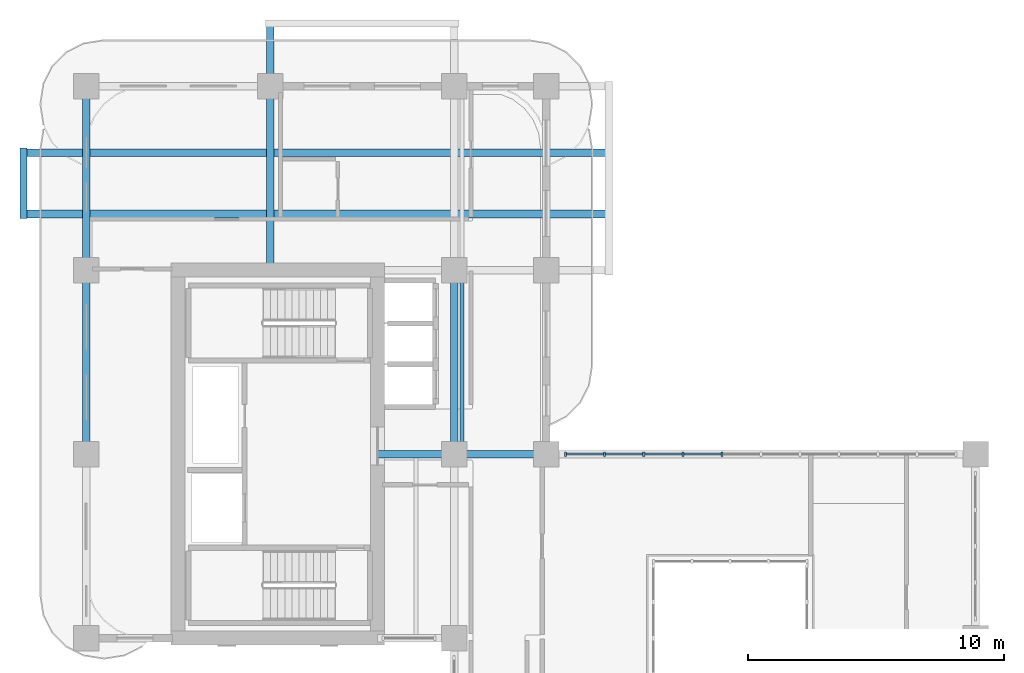
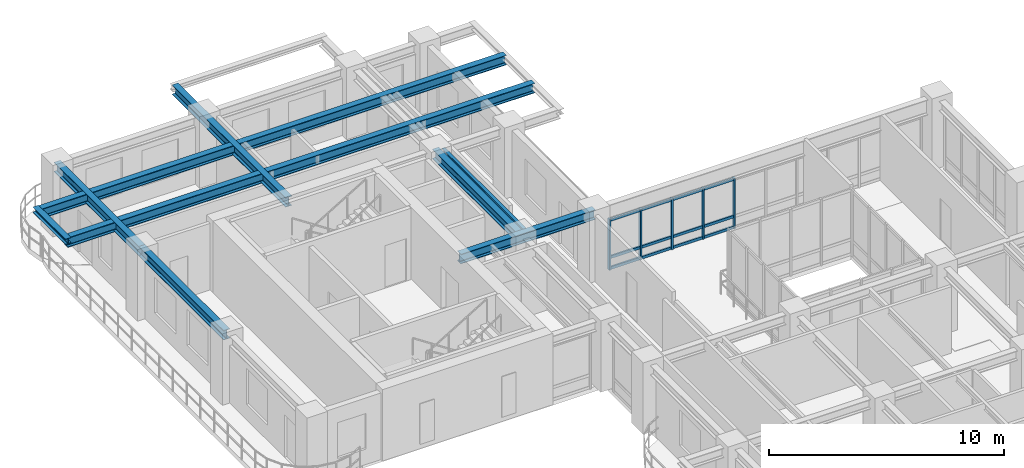
# One storey, part 5 of 20: 17 members, 9 beams, 1 element without a shape of its own.
"""IFC4 building model written with IfcOpenShell, lengths in metres."""

from ifc_helpers import new_model, si_unit, derived_unit, direction, frame, origin, origin_2d, place, context, subcontext, project, spatial, rectangle, i_section, extrude, source, transform, mapped, material, layer, layer_set, material_profile, profile_set, type_object, type_shapes, element, aggregate, save


model = new_model("IFC4")

# Units and contexts
model_context = context("Model", 3, precision=1e-05, world=origin(), true_north=direction((0.0, 1.0)))
body_context = subcontext(model_context, "Body", "Model", "MODEL_VIEW")
ifc_project = project(units=[si_unit("LENGTHUNIT", "METRE"), si_unit("AREAUNIT", "SQUARE_METRE"), si_unit("VOLUMEUNIT", "CUBIC_METRE"), si_unit("PLANEANGLEUNIT", "RADIAN"), si_unit("MASSUNIT", "GRAM", prefix="KILO"), si_unit("THERMODYNAMICTEMPERATUREUNIT", "KELVIN"), si_unit("POWERUNIT", "WATT"), derived_unit("THERMALTRANSMITTANCEUNIT", [(si_unit("POWERUNIT", "WATT"), 1), (si_unit("AREAUNIT", "SQUARE_METRE"), -1), (si_unit("THERMODYNAMICTEMPERATUREUNIT", "KELVIN"), -1)])], contexts=[model_context])

# Site, building, storey
site_placement = place(None, origin())
site = spatial("IfcSite", under=ifc_project, at=site_placement, CompositionType="ELEMENT")
building_placement = place(site_placement, origin())
building = spatial("IfcBuilding", under=site, at=building_placement, Name="Zahravan Archway Hotel and Residences", CompositionType="ELEMENT")
storey_placement = place(building_placement, frame((0.0, 0.0, 111.800048828125)))
storey = spatial("IfcBuildingStorey", under=building, at=storey_placement, Name="L27", CompositionType="ELEMENT", Elevation=111.800048828125)

# Beams
ifc_material_1 = material(Name="Structural Steel S355JR", Category="steel")
ifc_material_profile_1 = material_profile(ifc_material_1, i_section(OverallWidth=0.280029296875, OverallDepth=0.280029296875, WebThickness=0.010498046875, FlangeThickness=0.01806640625, FilletRadius=0.02392578125, at=origin_2d()), Name="HEB 280", Category="steel")
ifc_profile_set_1 = profile_set([ifc_material_profile_1], Name="Structural Steel S355JR")
beam_type_1 = type_object("IfcBeamType", Name="BM-SPN-HEB280", PredefinedType="SPANDREL", material=ifc_profile_set_1)
shared_shape_1 = source(origin(), body_context, "Body", "SweptSolid", [
    extrude(i_section(OverallWidth=0.280029296875, OverallDepth=0.280029296875, WebThickness=0.010498046875, FlangeThickness=0.01806640625, FilletRadius=0.02392578125, at=origin_2d()), origin(), (0.0, 0.0, 1.0), 2.759765625),
])
beam_1_placement = place(storey_placement, frame((-2.449951171875, 41.6201171875, 3.31005859375), z_axis=(0.0, 1.0, 0.0), x_axis=(-1.0, 0.0, 0.0)))
element("IfcBeam", 1, at=beam_1_placement, inside=storey, type_object=beam_type_1, Name="L28 WB Balcony Edge Spandrel", PredefinedType="SPANDREL", context=body_context, shape_type="MappedRepresentation", body=[
    mapped(shared_shape_1, transform((0.0, 0.0, 0.0), scale=1.0)),
])
ifc_material_profile_2 = material_profile(ifc_material_1, i_section(OverallWidth=0.300048828125, OverallDepth=0.5, WebThickness=0.014404296875, FlangeThickness=0.028076171875, FilletRadius=0.027099609375, at=origin_2d()), Name="HEB 500", Category="steel")
ifc_profile_set_2 = profile_set([ifc_material_profile_2], Name="Structural Steel S355JR")
beam_type_2 = type_object("IfcBeamType", Name="BM-PRI-HEB500", PredefinedType="BEAM", material=ifc_profile_set_2)
shared_shape_2 = source(origin(), body_context, "Body", "SweptSolid", [
    extrude(i_section(OverallWidth=0.300048828125, OverallDepth=0.5, WebThickness=0.014404296875, FlangeThickness=0.028076171875, FilletRadius=0.027099609375, at=origin_2d()), origin(), (0.0, 0.0, 1.0), 7.2001953125),
])
type_shapes(beam_type_2, [shared_shape_2])
for number, where, z_axis, x_axis, name in (
    (2, (0.0, 32.39990234375, 3.199951171875), (0.0, 1.0, 0.0), (-1.0, 0.0, 0.0), "L27 Primary Girder NS-25"),
    (3, (14.39990234375, 32.39990234375, 3.199951171875), (0.0, 1.0, 0.0), (-1.0, 0.0, 0.0), "L27 Primary Girder NS-33"),
):
    element("IfcBeam", number, at=place(storey_placement, frame(where, z_axis=z_axis, x_axis=x_axis)), inside=storey, type_object=beam_type_2, Name=name, PredefinedType="BEAM", context=body_context, shape_type="MappedRepresentation", body=[
        mapped(shared_shape_2, transform((0.0, 0.0, 0.0), scale=1.0)),
    ])
shared_shape_3 = source(origin(), body_context, "Body", "SweptSolid", [
    extrude(i_section(OverallWidth=0.300048828125, OverallDepth=0.5, WebThickness=0.014404296875, FlangeThickness=0.028076171875, FilletRadius=0.027099609375, at=origin_2d()), origin(), (0.0, 0.0, 1.0), 7.199951171875),
])
beam_2_placement = place(storey_placement, frame((0.0, 39.60009765625, 3.199951171875), z_axis=(0.0, 1.0, 0.0), x_axis=(-1.0, 0.0, 0.0)))
element("IfcBeam", 4, at=beam_2_placement, inside=storey, type_object=beam_type_2, Name="L27 Primary Girder NS-26", PredefinedType="BEAM", context=body_context, shape_type="MappedRepresentation", body=[
    mapped(shared_shape_3, transform((0.0, 0.0, 0.0), scale=1.0)),
])
shared_shape_4 = source(origin(), body_context, "Body", "SweptSolid", [
    extrude(i_section(OverallWidth=0.300048828125, OverallDepth=0.5, WebThickness=0.014404296875, FlangeThickness=0.028076171875, FilletRadius=0.027099609375, at=origin_2d()), origin(), (0.0, 0.0, 1.0), 6.60009765625),
])
beam_3_placement = place(storey_placement, frame((11.39990234375, 32.39990234375, 3.199951171875), z_axis=(1.0, 0.0, 0.0), x_axis=(0.0, 1.0, 0.0)))
element("IfcBeam", 5, at=beam_3_placement, inside=storey, type_object=beam_type_2, Name="L27 Primary Girder EW-17", PredefinedType="BEAM", context=body_context, shape_type="MappedRepresentation", body=[
    mapped(shared_shape_4, transform((0.0, 0.0, 0.0), scale=1.0)),
])
shared_shape_5 = source(origin(), body_context, "Body", "SweptSolid", [
    extrude(i_section(OverallWidth=0.300048828125, OverallDepth=0.5, WebThickness=0.014404296875, FlangeThickness=0.028076171875, FilletRadius=0.027099609375, at=origin_2d()), origin(), (0.0, 0.0, 1.0), 22.89990234375),
])
for number, where, z_axis, x_axis, name in (
    (6, (-2.449951171875, 41.800048828125, 3.199951171875), (1.0, 0.0, 0.0), (0.0, 1.0, 0.0), "L27 Primary Girder EW-22"),
    (7, (-2.449951171875, 44.199951171875, 3.199951171875), (1.0, 0.0, 0.0), (0.0, 1.0, 0.0), "L27 Primary Girder EW-23"),
):
    element("IfcBeam", number, at=place(storey_placement, frame(where, z_axis=z_axis, x_axis=x_axis)), inside=storey, type_object=beam_type_2, Name=name, PredefinedType="BEAM", context=body_context, shape_type="MappedRepresentation", body=[
        mapped(shared_shape_5, transform((0.0, 0.0, 0.0), scale=1.0)),
    ])
shared_shape_6 = source(origin(), body_context, "Body", "SweptSolid", [
    extrude(i_section(OverallWidth=0.300048828125, OverallDepth=0.5, WebThickness=0.014404296875, FlangeThickness=0.028076171875, FilletRadius=0.027099609375, at=origin_2d()), origin(), (0.0, 0.0, 1.0), 9.64990234375),
])
beam_4_placement = place(storey_placement, frame((7.199951171875, 39.60009765625, 3.199951171875), z_axis=(0.0, 1.0, 0.0), x_axis=(-1.0, 0.0, 0.0)))
element("IfcBeam", 8, at=beam_4_placement, inside=storey, type_object=beam_type_2, Name="L27 Primary Girder NS-27", PredefinedType="BEAM", context=body_context, shape_type="MappedRepresentation", body=[
    mapped(shared_shape_6, transform((0.0, 0.0, 0.0), scale=1.0)),
])
ifc_material_profile_3 = material_profile(ifc_material_1, i_section(OverallWidth=0.159912109375, OverallDepth=0.330078125, WebThickness=0.007568359375, FlangeThickness=0.011474609375, FilletRadius=0.01806640625, at=origin_2d()), Name="IPE 330", Category="steel")
ifc_profile_set_3 = profile_set([ifc_material_profile_3], Name="Structural Steel S355JR")
beam_type_3 = type_object("IfcBeamType", Name="BM-JST-IPE330", PredefinedType="JOIST", material=ifc_profile_set_3)
shared_shape_7 = source(origin(), body_context, "Body", "SweptSolid", [
    extrude(i_section(OverallWidth=0.159912109375, OverallDepth=0.330078125, WebThickness=0.007568359375, FlangeThickness=0.011474609375, FilletRadius=0.01806640625, at=origin_2d()), origin(), (0.0, 0.0, 1.0), 6.90380859375),
])
beam_5_placement = place(storey_placement, frame((14.699951171875, 32.548095703125, 3.284912109375), z_axis=(0.0, 1.0, 0.0), x_axis=(-1.0, 0.0, 0.0)))
element("IfcBeam", 9, at=beam_5_placement, inside=storey, type_object=beam_type_3, Name="L27 Composite Floor Joist 11", PredefinedType="JOIST", context=body_context, shape_type="MappedRepresentation", body=[
    mapped(shared_shape_7, transform((0.0, 0.0, 0.0), scale=1.0)),
])

# Curtain wall, members
ifc_material_2 = material(Name="Bronze-Anodized Unitised Aluminium & Low-E Glass", Category="aluminium")
ifc_layer = layer(ifc_material_2, 0.179931640625, Name="Bronze-Anodized Unitised Aluminium & Low-E Glass", Category="aluminium")
ifc_layer_set = layer_set([ifc_layer], Name="Bronze-Anodized Unitised Aluminium & Low-E Glass")
curtain_wall_type = type_object("IfcCurtainWallType", Name="CW-ATR-GLAZ", PredefinedType="NOTDEFINED", material=ifc_layer_set)
curtain_wall_placement = place(storey_placement, origin())
curtain_wall = element("IfcCurtainWall", 10, at=curtain_wall_placement, inside=storey, type_object=curtain_wall_type, Name="L27 Curtain Wall CW-L27-HNG-N-1", PredefinedType="NOTDEFINED")
ifc_material_3 = material(Name="Bronze-Anodized Extruded Aluminium", Category="aluminium")
ifc_material_profile_4 = material_profile(ifc_material_3, rectangle(XDim=0.080078125, YDim=0.159912109375, at=origin_2d()), Name="MUL 80x160", Category="aluminium")
ifc_profile_set_4 = profile_set([ifc_material_profile_4], Name="Bronze-Anodized Extruded Aluminium")
member_type_1 = type_object("IfcMemberType", Name="CWM-MUL-160", PredefinedType="MULLION", material=ifc_profile_set_4)
shared_shape_8 = source(origin(), body_context, "Body", "SweptSolid", [
    extrude(rectangle(XDim=0.080078125, YDim=0.159912109375, at=origin_2d()), origin(), (0.0, 0.0, 1.0), 2.635009765625),
])
member_1_placement = place(storey_placement, frame((18.760009765625, 32.39990234375, 0.0), z_axis=(0.0, 0.0, 1.0), x_axis=(1.0, 0.0, 0.0)))
member_1 = element("IfcMember", 11, at=member_1_placement, type_object=member_type_1, Name="CW-L27-HNG-N-1 Mullion 0", PredefinedType="MULLION", context=body_context, shape_type="MappedRepresentation", body=[
    mapped(shared_shape_8, transform((0.0, 0.0, 0.0), scale=1.0)),
])
member_2_placement = place(storey_placement, frame((20.2880859375, 32.39990234375, 0.0), z_axis=(0.0, 0.0, 1.0), x_axis=(1.0, 0.0, 0.0)))
member_2 = element("IfcMember", 12, at=member_2_placement, type_object=member_type_1, Name="CW-L27-HNG-N-1 Mullion 1", PredefinedType="MULLION", context=body_context, shape_type="MappedRepresentation", body=[
    mapped(shared_shape_8, transform((0.0, 0.0, 0.0), scale=1.0)),
])
member_3_placement = place(storey_placement, frame((21.81591796875, 32.39990234375, 0.0), z_axis=(0.0, 0.0, 1.0), x_axis=(1.0, 0.0, 0.0)))
member_3 = element("IfcMember", 13, at=member_3_placement, type_object=member_type_1, Name="CW-L27-HNG-N-1 Mullion 2", PredefinedType="MULLION", context=body_context, shape_type="MappedRepresentation", body=[
    mapped(shared_shape_8, transform((0.0, 0.0, 0.0), scale=1.0)),
])
member_4_placement = place(storey_placement, frame((23.343994140625, 32.39990234375, 0.0), z_axis=(0.0, 0.0, 1.0), x_axis=(1.0, 0.0, 0.0)))
member_4 = element("IfcMember", 14, at=member_4_placement, type_object=member_type_1, Name="CW-L27-HNG-N-1 Mullion 3", PredefinedType="MULLION", context=body_context, shape_type="MappedRepresentation", body=[
    mapped(shared_shape_8, transform((0.0, 0.0, 0.0), scale=1.0)),
])
member_5_placement = place(storey_placement, frame((24.8720703125, 32.39990234375, 0.0), z_axis=(0.0, 0.0, 1.0), x_axis=(1.0, 0.0, 0.0)))
member_5 = element("IfcMember", 15, at=member_5_placement, type_object=member_type_1, Name="CW-L27-HNG-N-1 Mullion 4", PredefinedType="MULLION", context=body_context, shape_type="MappedRepresentation", body=[
    mapped(shared_shape_8, transform((0.0, 0.0, 0.0), scale=1.0)),
])
ifc_material_profile_5 = material_profile(ifc_material_3, rectangle(XDim=0.080078125, YDim=0.139892578125, at=origin_2d()), Name="TRN 80x140", Category="aluminium")
ifc_profile_set_5 = profile_set([ifc_material_profile_5], Name="Bronze-Anodized Extruded Aluminium")
member_type_2 = type_object("IfcMemberType", Name="CWM-TRN-140", PredefinedType="USERDEFINED", material=ifc_profile_set_5)
shared_shape_9 = source(origin(), body_context, "Body", "SweptSolid", [
    extrude(rectangle(XDim=0.080078125, YDim=0.139892578125, at=origin_2d()), origin(), (0.0, 0.0, 1.0), 1.447998046875),
])
member_6_placement = place(storey_placement, frame((18.800048828125, 32.39990234375, 0.070068359375), z_axis=(1.0, 0.0, 0.0), x_axis=(0.0, 1.0, 0.0)))
member_6 = element("IfcMember", 16, at=member_6_placement, type_object=member_type_2, Name="CW-L27-HNG-N-1 Transom 0-1", ObjectType="TRANSOM", PredefinedType="USERDEFINED", context=body_context, shape_type="MappedRepresentation", body=[
    mapped(shared_shape_9, transform((0.0, 0.0, 0.0), scale=1.0)),
])
member_7_placement = place(storey_placement, frame((18.800048828125, 32.39990234375, 0.63232421875), z_axis=(1.0, 0.0, 0.0), x_axis=(0.0, 1.0, 0.0)))
member_7 = element("IfcMember", 17, at=member_7_placement, type_object=member_type_2, Name="CW-L27-HNG-N-1 Transom 0-2", ObjectType="TRANSOM", PredefinedType="USERDEFINED", context=body_context, shape_type="MappedRepresentation", body=[
    mapped(shared_shape_9, transform((0.0, 0.0, 0.0), scale=1.0)),
])
member_8_placement = place(storey_placement, frame((18.800048828125, 32.39990234375, 2.56494140625), z_axis=(1.0, 0.0, 0.0), x_axis=(0.0, 1.0, 0.0)))
member_8 = element("IfcMember", 18, at=member_8_placement, type_object=member_type_2, Name="CW-L27-HNG-N-1 Transom 0-3", ObjectType="TRANSOM", PredefinedType="USERDEFINED", context=body_context, shape_type="MappedRepresentation", body=[
    mapped(shared_shape_9, transform((0.0, 0.0, 0.0), scale=1.0)),
])
member_9_placement = place(storey_placement, frame((20.327880859375, 32.39990234375, 0.070068359375), z_axis=(1.0, 0.0, 0.0), x_axis=(0.0, 1.0, 0.0)))
member_9 = element("IfcMember", 19, at=member_9_placement, type_object=member_type_2, Name="CW-L27-HNG-N-1 Transom 1-1", ObjectType="TRANSOM", PredefinedType="USERDEFINED", context=body_context, shape_type="MappedRepresentation", body=[
    mapped(shared_shape_9, transform((0.0, 0.0, 0.0), scale=1.0)),
])
member_10_placement = place(storey_placement, frame((20.327880859375, 32.39990234375, 0.63232421875), z_axis=(1.0, 0.0, 0.0), x_axis=(0.0, 1.0, 0.0)))
member_10 = element("IfcMember", 20, at=member_10_placement, type_object=member_type_2, Name="CW-L27-HNG-N-1 Transom 1-2", ObjectType="TRANSOM", PredefinedType="USERDEFINED", context=body_context, shape_type="MappedRepresentation", body=[
    mapped(shared_shape_9, transform((0.0, 0.0, 0.0), scale=1.0)),
])
member_11_placement = place(storey_placement, frame((20.327880859375, 32.39990234375, 2.56494140625), z_axis=(1.0, 0.0, 0.0), x_axis=(0.0, 1.0, 0.0)))
member_11 = element("IfcMember", 21, at=member_11_placement, type_object=member_type_2, Name="CW-L27-HNG-N-1 Transom 1-3", ObjectType="TRANSOM", PredefinedType="USERDEFINED", context=body_context, shape_type="MappedRepresentation", body=[
    mapped(shared_shape_9, transform((0.0, 0.0, 0.0), scale=1.0)),
])
member_12_placement = place(storey_placement, frame((21.85595703125, 32.39990234375, 0.070068359375), z_axis=(1.0, 0.0, 0.0), x_axis=(0.0, 1.0, 0.0)))
member_12 = element("IfcMember", 22, at=member_12_placement, type_object=member_type_2, Name="CW-L27-HNG-N-1 Transom 2-1", ObjectType="TRANSOM", PredefinedType="USERDEFINED", context=body_context, shape_type="MappedRepresentation", body=[
    mapped(shared_shape_9, transform((0.0, 0.0, 0.0), scale=1.0)),
])
member_13_placement = place(storey_placement, frame((21.85595703125, 32.39990234375, 0.63232421875), z_axis=(1.0, 0.0, 0.0), x_axis=(0.0, 1.0, 0.0)))
member_13 = element("IfcMember", 23, at=member_13_placement, type_object=member_type_2, Name="CW-L27-HNG-N-1 Transom 2-2", ObjectType="TRANSOM", PredefinedType="USERDEFINED", context=body_context, shape_type="MappedRepresentation", body=[
    mapped(shared_shape_9, transform((0.0, 0.0, 0.0), scale=1.0)),
])
member_14_placement = place(storey_placement, frame((21.85595703125, 32.39990234375, 2.56494140625), z_axis=(1.0, 0.0, 0.0), x_axis=(0.0, 1.0, 0.0)))
member_14 = element("IfcMember", 24, at=member_14_placement, type_object=member_type_2, Name="CW-L27-HNG-N-1 Transom 2-3", ObjectType="TRANSOM", PredefinedType="USERDEFINED", context=body_context, shape_type="MappedRepresentation", body=[
    mapped(shared_shape_9, transform((0.0, 0.0, 0.0), scale=1.0)),
])
member_15_placement = place(storey_placement, frame((23.384033203125, 32.39990234375, 0.070068359375), z_axis=(1.0, 0.0, 0.0), x_axis=(0.0, 1.0, 0.0)))
member_15 = element("IfcMember", 25, at=member_15_placement, type_object=member_type_2, Name="CW-L27-HNG-N-1 Transom 3-1", ObjectType="TRANSOM", PredefinedType="USERDEFINED", context=body_context, shape_type="MappedRepresentation", body=[
    mapped(shared_shape_9, transform((0.0, 0.0, 0.0), scale=1.0)),
])
member_16_placement = place(storey_placement, frame((23.384033203125, 32.39990234375, 0.63232421875), z_axis=(1.0, 0.0, 0.0), x_axis=(0.0, 1.0, 0.0)))
member_16 = element("IfcMember", 26, at=member_16_placement, type_object=member_type_2, Name="CW-L27-HNG-N-1 Transom 3-2", ObjectType="TRANSOM", PredefinedType="USERDEFINED", context=body_context, shape_type="MappedRepresentation", body=[
    mapped(shared_shape_9, transform((0.0, 0.0, 0.0), scale=1.0)),
])
member_17_placement = place(storey_placement, frame((23.384033203125, 32.39990234375, 2.56494140625), z_axis=(1.0, 0.0, 0.0), x_axis=(0.0, 1.0, 0.0)))
member_17 = element("IfcMember", 27, at=member_17_placement, type_object=member_type_2, Name="CW-L27-HNG-N-1 Transom 3-3", ObjectType="TRANSOM", PredefinedType="USERDEFINED", context=body_context, shape_type="MappedRepresentation", body=[
    mapped(shared_shape_9, transform((0.0, 0.0, 0.0), scale=1.0)),
])
aggregate(curtain_wall, [member_1, member_2, member_3, member_4, member_5, member_6, member_7, member_8, member_9, member_10, member_11, member_12, member_13, member_14, member_15, member_16, member_17])

save(model, "model.ifc")
